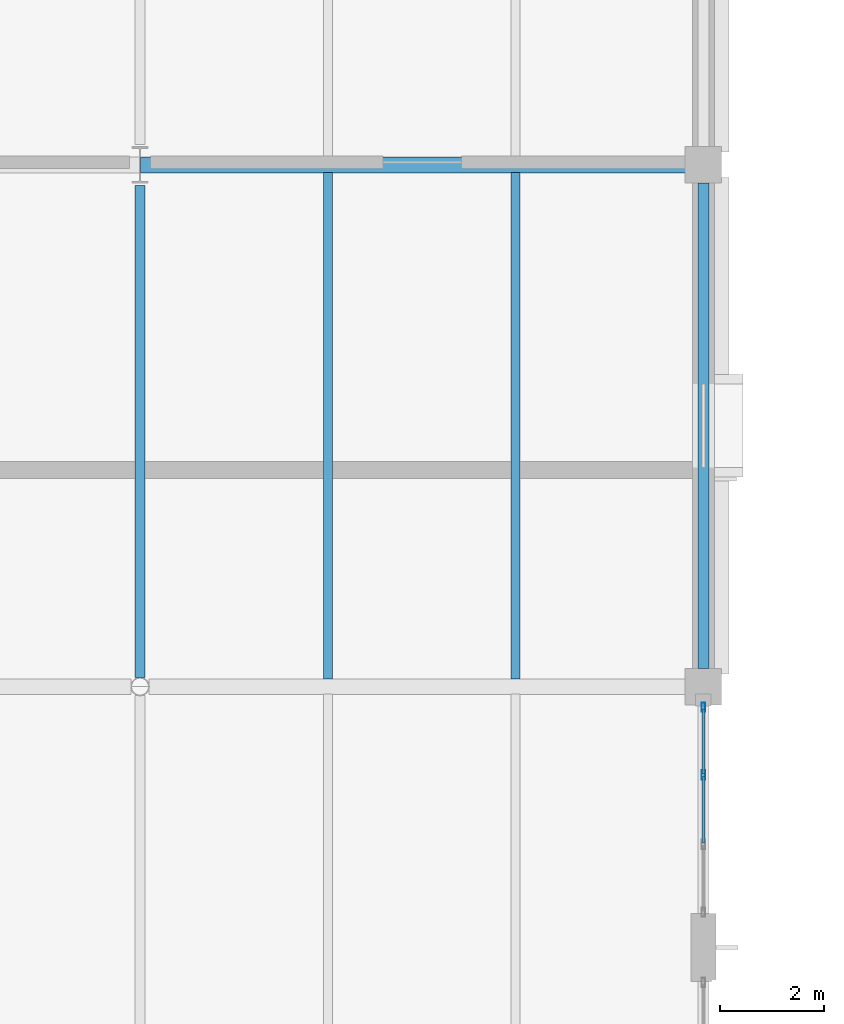
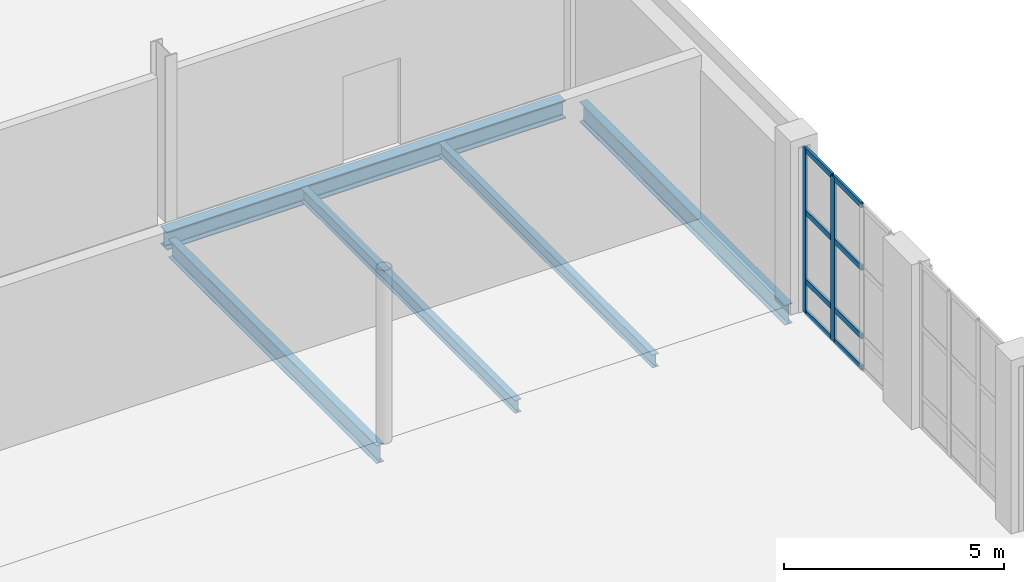
# One storey, part 44 of 92: 10 members, 5 beams, 1 element without a shape of its own.
"""IFC4 building model written with IfcOpenShell, lengths in metres."""

from ifc_helpers import new_model, si_unit, direction, frame, origin, origin_2d, place, context, subcontext, project, spatial, hollow_rectangle, i_section, extrude, material, layer, layer_set, material_profile, profile_set, type_object, element, aggregate, save


model = new_model("IFC4")

# Units and contexts
model_context = context("Model", 3, precision=1e-05, world=origin(), true_north=direction((0.0, 1.0)))
body_context = subcontext(model_context, "Body", "Model", "MODEL_VIEW")
ifc_project = project(units=[si_unit("LENGTHUNIT", "METRE"), si_unit("AREAUNIT", "SQUARE_METRE"), si_unit("VOLUMEUNIT", "CUBIC_METRE"), si_unit("PLANEANGLEUNIT", "RADIAN"), si_unit("MASSUNIT", "GRAM", prefix="KILO")], contexts=[model_context])

# Site, building, storey
site_placement = place(None, origin())
site = spatial("IfcSite", under=ifc_project, at=site_placement, CompositionType="ELEMENT")
building_placement = place(site_placement, origin())
building = spatial("IfcBuilding", under=site, at=building_placement, Name="Tasgan Crest Museum", CompositionType="ELEMENT")
storey_placement = place(building_placement, frame((0.0, 0.0, 4.800048828125)))
storey = spatial("IfcBuildingStorey", under=building, at=storey_placement, Name="L01", CompositionType="ELEMENT", Elevation=4.800048828125)

# Beams
ifc_material_1 = material(Name="Steel S355J2", Category="steel")
ifc_material_profile_1 = material_profile(ifc_material_1, i_section(OverallWidth=0.300048828125, OverallDepth=0.489990234375, WebThickness=0.011962890625, FlangeThickness=0.02294921875, FilletRadius=0.027099609375, at=origin_2d()), Name="HEA 500")
ifc_profile_set_1 = profile_set([ifc_material_profile_1], Name="Steel S355J2")
beam_type_1 = type_object("IfcBeamType", Name="BM-G-HEA500", PredefinedType="BEAM", material=ifc_profile_set_1)
beam_1_placement = place(storey_placement, frame((97.20556640625, 92.0, -0.485107421875), z_axis=(1.0, 0.0, 0.0), x_axis=(0.0, 1.0, 0.0)))
element("IfcBeam", 1, at=beam_1_placement, inside=storey, type_object=beam_type_1, Name="Girder L01 K 97.2-108.0", PredefinedType="BEAM", context=body_context, shape_type="SweptSolid", body=[
    extrude(i_section(OverallWidth=0.300048828125, OverallDepth=0.489990234375, WebThickness=0.011962890625, FlangeThickness=0.02294921875, FilletRadius=0.027099609375, at=origin_2d()), origin(), (0.0, 0.0, 1.0), 10.448486328125),
])
ifc_material_2 = material(Name="Steel S355J2", Category="steel")
ifc_material_profile_2 = material_profile(ifc_material_2, i_section(OverallWidth=0.199951171875, OverallDepth=0.5, WebThickness=0.01025390625, FlangeThickness=0.01611328125, FilletRadius=0.02099609375, at=origin_2d()), Name="IPE 500")
ifc_profile_set_2 = profile_set([ifc_material_profile_2], Name="Steel S355J2")
beam_type_2 = type_object("IfcBeamType", Name="BM-G-IPE500", PredefinedType="BEAM", material=ifc_profile_set_2)
beam_2_placement = place(storey_placement, frame((97.199951171875, 82.1728515625, -0.489990234375), z_axis=(0.0, 1.0, 0.0), x_axis=(-1.0, 0.0, 0.0)))
element("IfcBeam", 2, at=beam_2_placement, inside=storey, type_object=beam_type_2, Name="Beam L01 10 82.0-92.0", PredefinedType="BEAM", context=body_context, shape_type="SweptSolid", body=[
    extrude(i_section(OverallWidth=0.199951171875, OverallDepth=0.5, WebThickness=0.01025390625, FlangeThickness=0.01611328125, FilletRadius=0.02099609375, at=origin_2d()), origin(), (0.0, 0.0, 1.0), 9.437255859375),
])
ifc_material_3 = material(Name="Steel S355J2", Category="steel")
ifc_material_profile_3 = material_profile(ifc_material_3, i_section(OverallWidth=0.2099609375, OverallDepth=0.550048828125, WebThickness=0.010986328125, FlangeThickness=0.01708984375, FilletRadius=0.02392578125, at=origin_2d()), Name="IPE 550")
ifc_profile_set_3 = profile_set([ifc_material_profile_3], Name="Steel S355J2")
beam_type_3 = type_object("IfcBeamType", Name="BM-G-IPE550", PredefinedType="BEAM", material=ifc_profile_set_3)
beam_3_placement = place(storey_placement, frame((108.0, 82.344970703125, -0.51513671875), z_axis=(0.0, 1.0, 0.0), x_axis=(-1.0, 0.0, 0.0)))
element("IfcBeam", 3, at=beam_3_placement, inside=storey, type_object=beam_type_3, Name="Beam L01 11 82.0-92.0", PredefinedType="BEAM", context=body_context, shape_type="SweptSolid", body=[
    extrude(i_section(OverallWidth=0.2099609375, OverallDepth=0.550048828125, WebThickness=0.010986328125, FlangeThickness=0.01708984375, FilletRadius=0.02392578125, at=origin_2d()), origin(), (0.0, 0.0, 1.0), 9.31005859375),
])
ifc_material_4 = material(Name="Steel S355J2", Category="steel")
ifc_material_profile_4 = material_profile(ifc_material_4, i_section(OverallWidth=0.169921875, OverallDepth=0.360107421875, WebThickness=0.008056640625, FlangeThickness=0.0126953125, FilletRadius=0.01806640625, at=origin_2d()), Name="IPE 360")
ifc_profile_set_4 = profile_set([ifc_material_profile_4], Name="Steel S355J2")
beam_type_4 = type_object("IfcBeamType", Name="BM-J-IPE360", PredefinedType="JOIST", material=ifc_profile_set_4)
for number, where, z_axis, x_axis, name in (
    (4, (100.800048828125, 82.14501953125, -0.420166015625), (0.0, 1.0, 0.0), (-1.0, 0.0, 0.0), "Secondary joist L01 X=100.8 Y=82.0-92.0"),
    (5, (104.39990234375, 82.14501953125, -0.420166015625), (0.0, 1.0, 0.0), (-1.0, 0.0, 0.0), "Secondary joist L01 X=104.4 Y=82.0-92.0"),
):
    element("IfcBeam", number, at=place(storey_placement, frame(where, z_axis=z_axis, x_axis=x_axis)), inside=storey, type_object=beam_type_4, Name=name, PredefinedType="JOIST", context=body_context, shape_type="SweptSolid", body=[
        extrude(i_section(OverallWidth=0.169921875, OverallDepth=0.360107421875, WebThickness=0.008056640625, FlangeThickness=0.0126953125, FilletRadius=0.01806640625, at=origin_2d()), origin(), (0.0, 0.0, 1.0), 9.7099609375),
    ])

# Curtain wall, members
ifc_material_5 = material(Name="Triple-Glazed Aluminium Curtain Wall", Category="aluminium")
ifc_layer = layer(ifc_material_5, 0.179931640625, Name="CW-DRUM-Y10-48")
ifc_layer_set = layer_set([ifc_layer], Name="Triple-Glazed Aluminium Curtain Wall")
curtain_wall_type = type_object("IfcCurtainWallType", Name="CW-DRUM-Y10-48", PredefinedType="NOTDEFINED", material=ifc_layer_set)
curtain_wall_placement = place(storey_placement, origin())
curtain_wall = element("IfcCurtainWall", 6, at=curtain_wall_placement, inside=storey, type_object=curtain_wall_type, Name="Curtain wall L01 060", PredefinedType="NOTDEFINED")
ifc_material_6 = material(Name="Anodised Aluminium", Category="aluminium")
ifc_material_profile_5 = material_profile(ifc_material_6, hollow_rectangle(XDim=0.06494140625, YDim=0.179931640625, WallThickness=0.0048828125, at=origin_2d()), Name="ALU MULLION 180x65x5")
ifc_profile_set_5 = profile_set([ifc_material_profile_5], Name="Anodised Aluminium")
member_type_1 = type_object("IfcMemberType", Name="CW-MULLION-180", PredefinedType="MULLION", material=ifc_profile_set_5)
member_1_placement = place(storey_placement, frame((108.0, 80.304931640625, 0.0), z_axis=(0.0, 0.0, 1.0), x_axis=(-1.0, 0.0, 0.0)))
member_1 = element("IfcMember", 7, at=member_1_placement, type_object=member_type_1, Name="CW04 mullion 3", PredefinedType="MULLION", context=body_context, shape_type="SweptSolid", body=[
    extrude(hollow_rectangle(XDim=0.06494140625, YDim=0.179931640625, WallThickness=0.0048828125, at=origin_2d()), origin(), (0.0, 0.0, 1.0), 4.56005859375),
])
member_2_placement = place(storey_placement, frame((108.0, 81.60498046875, 0.0), z_axis=(0.0, 0.0, 1.0), x_axis=(-1.0, 0.0, 0.0)))
member_2 = element("IfcMember", 8, at=member_2_placement, type_object=member_type_1, Name="CW04 mullion 4", PredefinedType="MULLION", context=body_context, shape_type="SweptSolid", body=[
    extrude(hollow_rectangle(XDim=0.06494140625, YDim=0.179931640625, WallThickness=0.0048828125, at=origin_2d()), origin(), (0.0, 0.0, 1.0), 4.56005859375),
])
ifc_material_7 = material(Name="Anodised Aluminium", Category="aluminium")
ifc_material_profile_6 = material_profile(ifc_material_7, hollow_rectangle(XDim=0.06005859375, YDim=0.14990234375, WallThickness=0.0048828125, at=origin_2d()), Name="ALU TRANSOM 150x60x5")
ifc_profile_set_6 = profile_set([ifc_material_profile_6], Name="Anodised Aluminium")
member_type_2 = type_object("IfcMemberType", Name="CW-TRANSOM-150", PredefinedType="USERDEFINED", material=ifc_profile_set_6)
member_3_placement = place(storey_placement, frame((108.0, 79.0048828125, 0.030029296875), z_axis=(0.0, 1.0, 0.0), x_axis=(-1.0, 0.0, 0.0)))
member_3 = element("IfcMember", 9, at=member_3_placement, type_object=member_type_2, Name="CW04 transom 2.1", ObjectType="TRANSOM", PredefinedType="USERDEFINED", context=body_context, shape_type="SweptSolid", body=[
    extrude(hollow_rectangle(XDim=0.06005859375, YDim=0.14990234375, WallThickness=0.0048828125, at=origin_2d()), origin(), (0.0, 0.0, 1.0), 1.27001953125),
])
member_4_placement = place(storey_placement, frame((108.0, 79.0048828125, 0.89990234375), z_axis=(0.0, 1.0, 0.0), x_axis=(-1.0, 0.0, 0.0)))
member_4 = element("IfcMember", 10, at=member_4_placement, type_object=member_type_2, Name="CW04 transom 2.2", ObjectType="TRANSOM", PredefinedType="USERDEFINED", context=body_context, shape_type="SweptSolid", body=[
    extrude(hollow_rectangle(XDim=0.06005859375, YDim=0.14990234375, WallThickness=0.0048828125, at=origin_2d()), origin(), (0.0, 0.0, 1.0), 1.27001953125),
])
member_5_placement = place(storey_placement, frame((108.0, 79.0048828125, 2.800048828125), z_axis=(0.0, 1.0, 0.0), x_axis=(-1.0, 0.0, 0.0)))
member_5 = element("IfcMember", 11, at=member_5_placement, type_object=member_type_2, Name="CW04 transom 2.3", ObjectType="TRANSOM", PredefinedType="USERDEFINED", context=body_context, shape_type="SweptSolid", body=[
    extrude(hollow_rectangle(XDim=0.06005859375, YDim=0.14990234375, WallThickness=0.0048828125, at=origin_2d()), origin(), (0.0, 0.0, 1.0), 1.27001953125),
])
member_6_placement = place(storey_placement, frame((108.0, 79.0048828125, 4.530029296875), z_axis=(0.0, 1.0, 0.0), x_axis=(-1.0, 0.0, 0.0)))
member_6 = element("IfcMember", 12, at=member_6_placement, type_object=member_type_2, Name="CW04 transom 2.4", ObjectType="TRANSOM", PredefinedType="USERDEFINED", context=body_context, shape_type="SweptSolid", body=[
    extrude(hollow_rectangle(XDim=0.06005859375, YDim=0.14990234375, WallThickness=0.0048828125, at=origin_2d()), origin(), (0.0, 0.0, 1.0), 1.27001953125),
])
member_7_placement = place(storey_placement, frame((108.0, 80.3349609375, 0.030029296875), z_axis=(0.0, 1.0, 0.0), x_axis=(-1.0, 0.0, 0.0)))
member_7 = element("IfcMember", 13, at=member_7_placement, type_object=member_type_2, Name="CW04 transom 3.1", ObjectType="TRANSOM", PredefinedType="USERDEFINED", context=body_context, shape_type="SweptSolid", body=[
    extrude(hollow_rectangle(XDim=0.06005859375, YDim=0.14990234375, WallThickness=0.0048828125, at=origin_2d()), origin(), (0.0, 0.0, 1.0), 1.239990234375),
])
member_8_placement = place(storey_placement, frame((108.0, 80.3349609375, 0.89990234375), z_axis=(0.0, 1.0, 0.0), x_axis=(-1.0, 0.0, 0.0)))
member_8 = element("IfcMember", 14, at=member_8_placement, type_object=member_type_2, Name="CW04 transom 3.2", ObjectType="TRANSOM", PredefinedType="USERDEFINED", context=body_context, shape_type="SweptSolid", body=[
    extrude(hollow_rectangle(XDim=0.06005859375, YDim=0.14990234375, WallThickness=0.0048828125, at=origin_2d()), origin(), (0.0, 0.0, 1.0), 1.239990234375),
])
member_9_placement = place(storey_placement, frame((108.0, 80.3349609375, 2.800048828125), z_axis=(0.0, 1.0, 0.0), x_axis=(-1.0, 0.0, 0.0)))
member_9 = element("IfcMember", 15, at=member_9_placement, type_object=member_type_2, Name="CW04 transom 3.3", ObjectType="TRANSOM", PredefinedType="USERDEFINED", context=body_context, shape_type="SweptSolid", body=[
    extrude(hollow_rectangle(XDim=0.06005859375, YDim=0.14990234375, WallThickness=0.0048828125, at=origin_2d()), origin(), (0.0, 0.0, 1.0), 1.239990234375),
])
member_10_placement = place(storey_placement, frame((108.0, 80.3349609375, 4.530029296875), z_axis=(0.0, 1.0, 0.0), x_axis=(-1.0, 0.0, 0.0)))
member_10 = element("IfcMember", 16, at=member_10_placement, type_object=member_type_2, Name="CW04 transom 3.4", ObjectType="TRANSOM", PredefinedType="USERDEFINED", context=body_context, shape_type="SweptSolid", body=[
    extrude(hollow_rectangle(XDim=0.06005859375, YDim=0.14990234375, WallThickness=0.0048828125, at=origin_2d()), origin(), (0.0, 0.0, 1.0), 1.239990234375),
])
aggregate(curtain_wall, [member_1, member_2, member_3, member_4, member_5, member_6, member_7, member_8, member_9, member_10])

save(model, "model.ifc")
